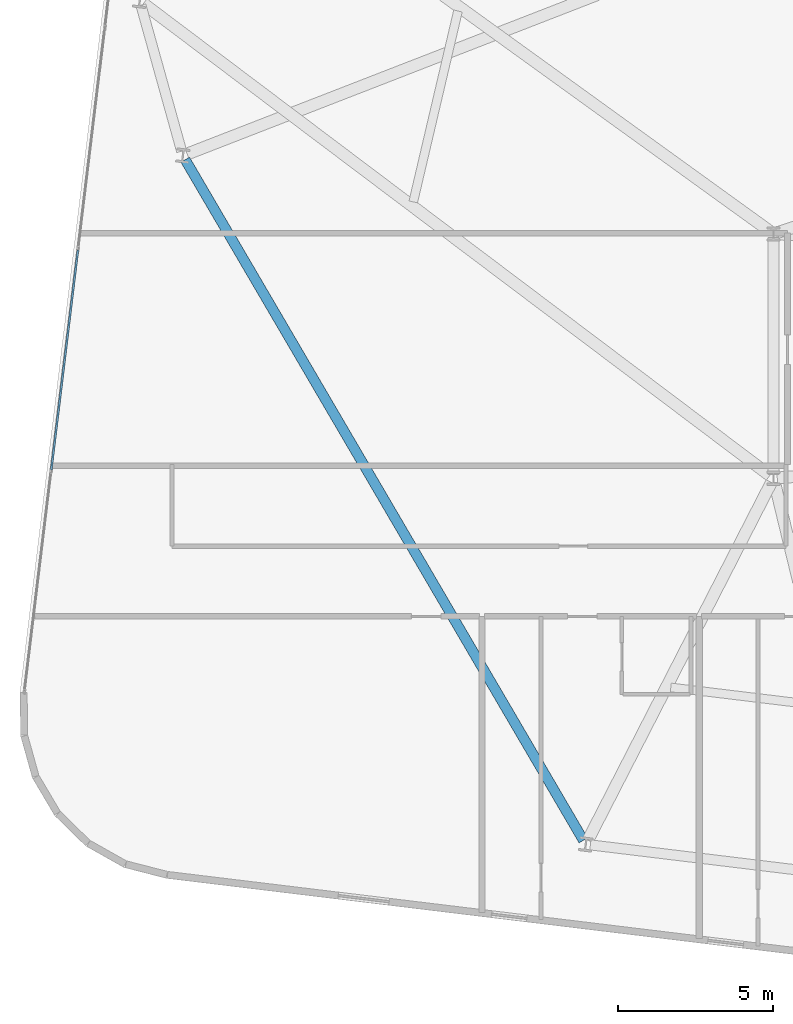
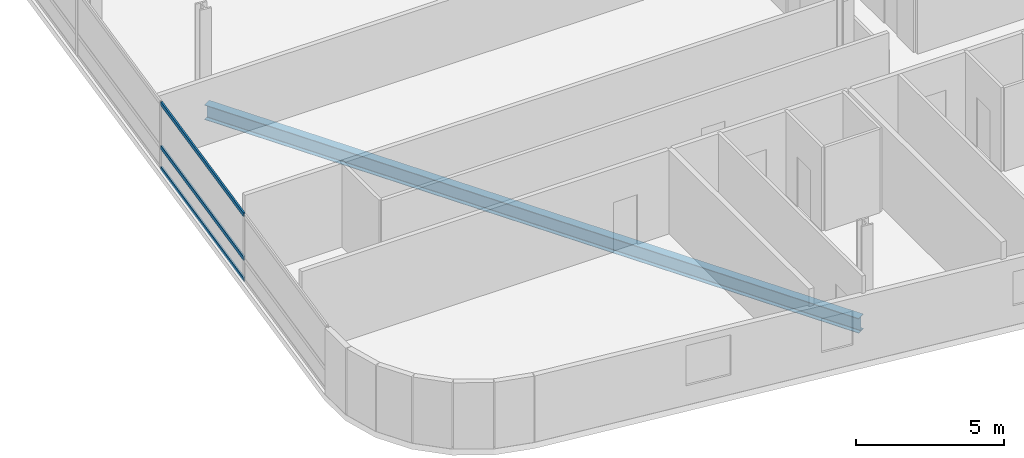
# One storey, part 5 of 26: 3 members, 1 beam, 1 element without a shape of its own.
"""IFC4 building model written with IfcOpenShell, lengths in metres."""

from ifc_helpers import new_model, si_unit, direction, frame, origin, origin_2d, place, context, subcontext, project, spatial, hollow_rectangle, i_section, extrude, material, layer, layer_set, material_profile, profile_set, type_object, element, aggregate, save


model = new_model("IFC4")

# Units and contexts
model_context = context("Model", 3, precision=1e-05, world=origin(), true_north=direction((0.0, 1.0)))
body_context = subcontext(model_context, "Body", "Model", "MODEL_VIEW")
ifc_project = project(units=[si_unit("LENGTHUNIT", "METRE"), si_unit("AREAUNIT", "SQUARE_METRE"), si_unit("VOLUMEUNIT", "CUBIC_METRE"), si_unit("PLANEANGLEUNIT", "RADIAN"), si_unit("MASSUNIT", "GRAM", prefix="KILO")], contexts=[model_context])

# Site, building, storey
site_placement = place(None, origin())
site = spatial("IfcSite", under=ifc_project, at=site_placement, CompositionType="ELEMENT")
building_placement = place(site_placement, origin())
building = spatial("IfcBuilding", under=site, at=building_placement, Name="Varnelok Gate Tower", CompositionType="ELEMENT")
storey_placement = place(building_placement, frame((0.0, 0.0, 155.0)))
storey = spatial("IfcBuildingStorey", under=building, at=storey_placement, Name="L39", CompositionType="ELEMENT", Elevation=155.0)

# Beam
ifc_material_1 = material(Name="Structural Steel ASTM A992 Grade 50", Category="steel")
ifc_material_profile_1 = material_profile(ifc_material_1, i_section(OverallWidth=0.323974609375, OverallDepth=0.611083984375, WebThickness=0.0126953125, FlangeThickness=0.01904296875, FilletRadius=0.01806640625, at=origin_2d()), Name="W24X104")
ifc_profile_set_1 = profile_set([ifc_material_profile_1], Name="Structural Steel ASTM A992 Grade 50")
beam_type = type_object("IfcBeamType", Name="BM-SPN-W24X104", PredefinedType="SPANDREL", material=ifc_profile_set_1)
beam_placement = place(storey_placement, frame((5.43115234375, 29.072021484375, -0.555419921875), z_axis=(0.504960797965, -0.863142278259, 0.0), x_axis=(0.863142278259, 0.504960797965, 0.0)))
element("IfcBeam", 1, at=beam_placement, inside=storey, type_object=beam_type, Name="L39 Perimeter Spandrel Beam 16", PredefinedType="SPANDREL", context=body_context, shape_type="SweptSolid", body=[
    extrude(i_section(OverallWidth=0.323974609375, OverallDepth=0.611083984375, WebThickness=0.0126953125, FlangeThickness=0.01904296875, FilletRadius=0.01806640625, at=origin_2d()), origin(), (0.0, 0.0, 1.0), 25.425537109375),
])

# Curtain wall, members
ifc_material_2 = material(Name="Anodized Aluminum Alloy 6063-T6", Category="aluminium")
ifc_layer = layer(ifc_material_2, 0.179931640625)
ifc_layer_set = layer_set([ifc_layer], Name="Anodized Aluminum Alloy 6063-T6")
curtain_wall_type = type_object("IfcCurtainWallType", Name="CW3-HOTEL-VISION", PredefinedType="USERDEFINED", material=ifc_layer_set)
curtain_wall_placement = place(storey_placement, origin())
curtain_wall = element("IfcCurtainWall", 2, at=curtain_wall_placement, inside=storey, type_object=curtain_wall_type, Name="L39 West End Vision Curtain Wall", ObjectType="UNITISED CURTAIN WALL", PredefinedType="USERDEFINED")
ifc_material_profile_2 = material_profile(ifc_material_2, hollow_rectangle(XDim=0.06494140625, YDim=0.159912109375, WallThickness=0.00390625, at=origin_2d()), Name="ALU160X65X4")
ifc_profile_set_2 = profile_set([ifc_material_profile_2], Name="Anodized Aluminum Alloy 6063-T6")
member_type = type_object("IfcMemberType", Name="CW-TRAN-160", PredefinedType="USERDEFINED", material=ifc_profile_set_2)
member_1_placement = place(storey_placement, frame((1.113525390625, 19.07080078125, 0.032470703125), z_axis=(0.120344652138, 0.992732171687, 0.0), x_axis=(-0.992732171687, 0.120344652138, 0.0)))
member_1 = element("IfcMember", 3, at=member_1_placement, type_object=member_type, Name="CW3 transom 2.1", ObjectType="TRANSOM", PredefinedType="USERDEFINED", context=body_context, shape_type="SweptSolid", body=[
    extrude(hollow_rectangle(XDim=0.06494140625, YDim=0.159912109375, WallThickness=0.00390625, at=origin_2d()), origin(), (0.0, 0.0, 1.0), 7.134765625),
])
member_2_placement = place(storey_placement, frame((1.113525390625, 19.07080078125, 0.89990234375), z_axis=(0.120344652138, 0.992732171687, 0.0), x_axis=(-0.992732171687, 0.120344652138, 0.0)))
member_2 = element("IfcMember", 4, at=member_2_placement, type_object=member_type, Name="CW3 transom 2.2", ObjectType="TRANSOM", PredefinedType="USERDEFINED", context=body_context, shape_type="SweptSolid", body=[
    extrude(hollow_rectangle(XDim=0.06494140625, YDim=0.159912109375, WallThickness=0.00390625, at=origin_2d()), origin(), (0.0, 0.0, 1.0), 7.134765625),
])
member_3_placement = place(storey_placement, frame((1.113525390625, 19.07080078125, 2.697509765625), z_axis=(0.120344652138, 0.992732171687, 0.0), x_axis=(-0.992732171687, 0.120344652138, 0.0)))
member_3 = element("IfcMember", 5, at=member_3_placement, type_object=member_type, Name="CW3 transom 2.3", ObjectType="TRANSOM", PredefinedType="USERDEFINED", context=body_context, shape_type="SweptSolid", body=[
    extrude(hollow_rectangle(XDim=0.06494140625, YDim=0.159912109375, WallThickness=0.00390625, at=origin_2d()), origin(), (0.0, 0.0, 1.0), 7.134765625),
])
aggregate(curtain_wall, [member_1, member_2, member_3])

save(model, "model.ifc")
